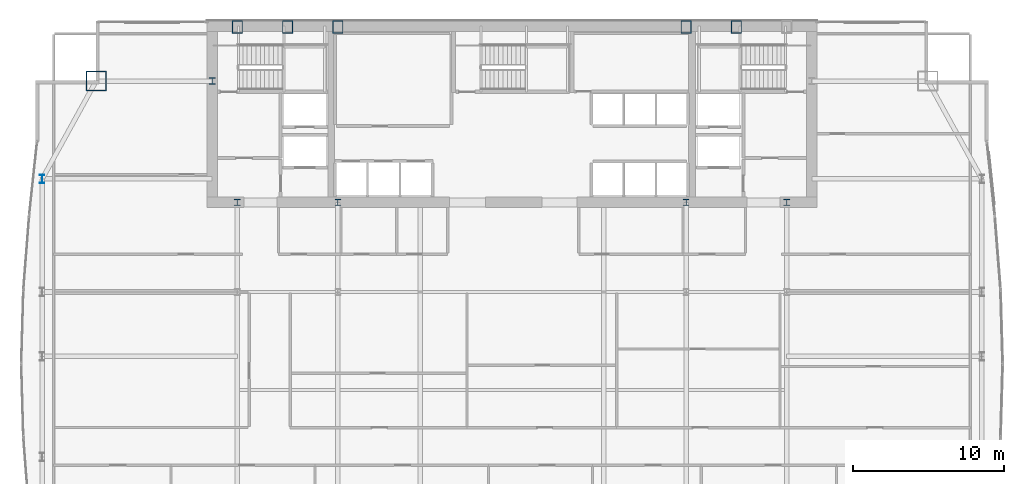
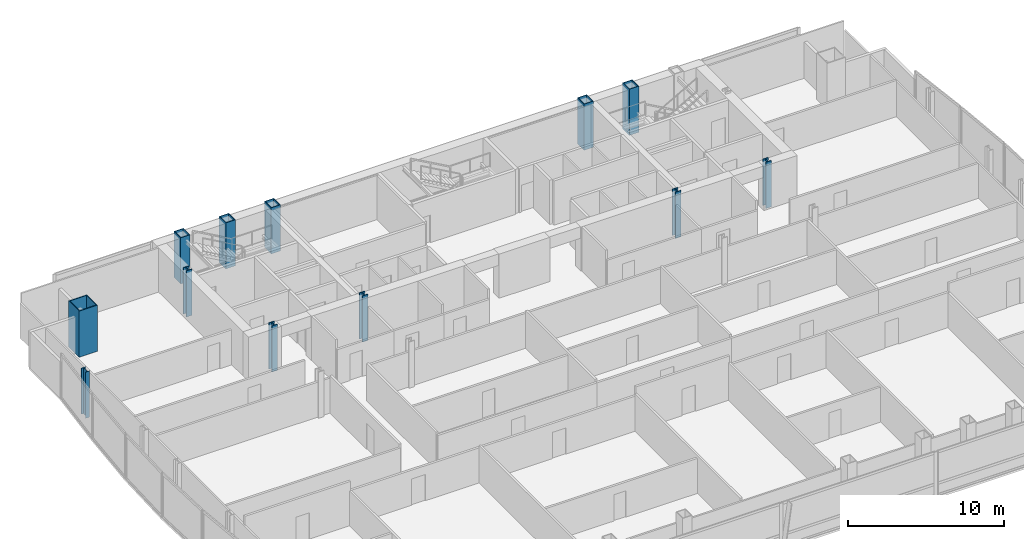
# One storey, part 3 of 29: 12 columns.
"""IFC4 building model written with IfcOpenShell, lengths in metres."""

from ifc_helpers import new_model, si_unit, direction, frame, origin, origin_2d, place, context, subcontext, project, spatial, hollow_rectangle, i_section, extrude, material, material_profile, profile_set, type_object, element, save


model = new_model("IFC4")

# Units and contexts
model_context = context("Model", 3, precision=1e-05, world=origin(), true_north=direction((0.0, 1.0)))
body_context = subcontext(model_context, "Body", "Model", "MODEL_VIEW")
ifc_project = project(units=[si_unit("LENGTHUNIT", "METRE"), si_unit("AREAUNIT", "SQUARE_METRE"), si_unit("VOLUMEUNIT", "CUBIC_METRE"), si_unit("PLANEANGLEUNIT", "RADIAN"), si_unit("MASSUNIT", "GRAM", prefix="KILO")], contexts=[model_context])

# Site, building, storey
site_placement = place(None, origin())
site = spatial("IfcSite", under=ifc_project, at=site_placement, CompositionType="ELEMENT")
building_placement = place(site_placement, origin())
building = spatial("IfcBuilding", under=site, at=building_placement, Name="Khoronbel Lancet Exchange", CompositionType="ELEMENT")
storey_placement = place(building_placement, frame((0.0, 0.0, 139.800048828125)))
storey = spatial("IfcBuildingStorey", under=building, at=storey_placement, Name="L34", CompositionType="ELEMENT", Elevation=139.800048828125)

# Columns
ifc_material_1 = material(Name="Steel S460", Category="steel")
ifc_material_profile_1 = material_profile(ifc_material_1, hollow_rectangle(XDim=0.699951171875, YDim=0.85009765625, WallThickness=0.050048828125, at=origin_2d()), Name="BOX 850x700x50")
ifc_profile_set_1 = profile_set([ifc_material_profile_1], Name="Steel S460")
column_type_1 = type_object("IfcColumnType", Name="COL-EC2", PredefinedType="COLUMN", material=ifc_profile_set_1)
for number, where, z_axis, x_axis, name in (
    (1, (18.22509765625, 53.280029296875, 0.0), (0.0, 0.0, 1.0), (1.0, 0.0, 0.0), "Structural column NC-W1 L34"),
    (2, (21.5625, 53.280029296875, 0.0), (0.0, 0.0, 1.0), (1.0, 0.0, 0.0), "Structural column NC-WM L34"),
    (3, (24.89990234375, 53.280029296875, 0.0), (0.0, 0.0, 1.0), (1.0, 0.0, 0.0), "Structural column NC-W2 L34"),
    (4, (48.0, 53.280029296875, 0.0), (0.0, 0.0, 1.0), (1.0, 0.0, 0.0), "Structural column NC-E1 L34"),
    (5, (51.33740234375, 53.280029296875, 0.0), (0.0, 0.0, 1.0), (1.0, 0.0, 0.0), "Structural column NC-EM L34"),
):
    element("IfcColumn", number, at=place(storey_placement, frame(where, z_axis=z_axis, x_axis=x_axis)), inside=storey, type_object=column_type_1, Name=name, PredefinedType="COLUMN", context=body_context, shape_type="SweptSolid", body=[
        extrude(hollow_rectangle(XDim=0.699951171875, YDim=0.85009765625, WallThickness=0.050048828125, at=origin_2d()), origin(), (0.0, 0.0, 1.0), 3.599853515625),
    ])
ifc_material_profile_2 = material_profile(ifc_material_1, i_section(OverallWidth=0.416015625, OverallDepth=0.446044921875, WebThickness=0.0390625, FlangeThickness=0.062744140625, at=origin_2d()), Name="HD 400x509")
ifc_profile_set_2 = profile_set([ifc_material_profile_2], Name="Steel S460")
column_type_2 = type_object("IfcColumnType", Name="COL-IC2", PredefinedType="COLUMN", material=ifc_profile_set_2)
for number, where, z_axis, x_axis, name in (
    (6, (16.550048828125, 49.699951171875, 0.0), (0.0, 0.0, 1.0), (1.0, 0.0, 0.0), "Core-flank plumb transfer column CFW L34"),
    (7, (18.22509765625, 41.64990234375, 0.0), (0.0, 0.0, 1.0), (1.0, 0.0, 0.0), "Core-embedded steel column CTC1 L34"),
    (8, (24.89990234375, 41.64990234375, 0.0), (0.0, 0.0, 1.0), (1.0, 0.0, 0.0), "Core-embedded steel column CTC2 L34"),
    (9, (48.0, 41.64990234375, 0.0), (0.0, 0.0, 1.0), (1.0, 0.0, 0.0), "Core-embedded steel column CTC3 L34"),
    (10, (54.675048828125, 41.64990234375, 0.0), (0.0, 0.0, 1.0), (1.0, 0.0, 0.0), "Core-embedded steel column CTC4 L34"),
):
    element("IfcColumn", number, at=place(storey_placement, frame(where, z_axis=z_axis, x_axis=x_axis)), inside=storey, type_object=column_type_2, Name=name, PredefinedType="COLUMN", context=body_context, shape_type="SweptSolid", body=[
        extrude(i_section(OverallWidth=0.416015625, OverallDepth=0.446044921875, WebThickness=0.0390625, FlangeThickness=0.062744140625, at=origin_2d()), origin(), (0.0, 0.0, 1.0), 3.599853515625),
    ])
ifc_material_2 = material(Name="Steel S355", Category="steel")
ifc_material_profile_3 = material_profile(ifc_material_2, i_section(OverallWidth=0.300048828125, OverallDepth=0.550048828125, WebThickness=0.014892578125, FlangeThickness=0.029052734375, at=origin_2d()), Name="HEB 550")
ifc_profile_set_3 = profile_set([ifc_material_profile_3], Name="Steel S355")
column_type_3 = type_object("IfcColumnType", Name="COL-LC1", PredefinedType="COLUMN", material=ifc_profile_set_3)
column_1_placement = place(storey_placement, frame((5.27001953125, 43.199951171875, 0.0), z_axis=(0.0, 0.0, 1.0), x_axis=(1.0, 0.0, 0.0)))
element("IfcColumn", 11, at=column_1_placement, inside=storey, type_object=column_type_3, Name="Structural column WC-4 L34", PredefinedType="COLUMN", context=body_context, shape_type="SweptSolid", body=[
    extrude(i_section(OverallWidth=0.300048828125, OverallDepth=0.550048828125, WebThickness=0.014892578125, FlangeThickness=0.029052734375, at=origin_2d()), origin(), (0.0, 0.0, 1.0), 3.599853515625),
])
ifc_material_profile_4 = material_profile(ifc_material_1, hollow_rectangle(XDim=1.35009765625, YDim=1.35009765625, WallThickness=0.06494140625, at=origin_2d()), Name="BOX 1350x1350x65")
ifc_profile_set_4 = profile_set([ifc_material_profile_4], Name="Steel S460")
column_type_4 = type_object("IfcColumnType", Name="COL-MC4", PredefinedType="COLUMN", material=ifc_profile_set_4)
column_2_placement = place(storey_placement, frame((8.85009765625, 49.699951171875, 0.0), z_axis=(0.0, 0.0, 1.0), x_axis=(1.0, 0.0, 0.0)))
element("IfcColumn", 12, at=column_2_placement, inside=storey, type_object=column_type_4, Name="Structural column MC-NW L34", PredefinedType="COLUMN", context=body_context, shape_type="SweptSolid", body=[
    extrude(hollow_rectangle(XDim=1.35009765625, YDim=1.35009765625, WallThickness=0.06494140625, at=origin_2d()), origin(), (0.0, 0.0, 1.0), 3.599853515625),
])

save(model, "model.ifc")
